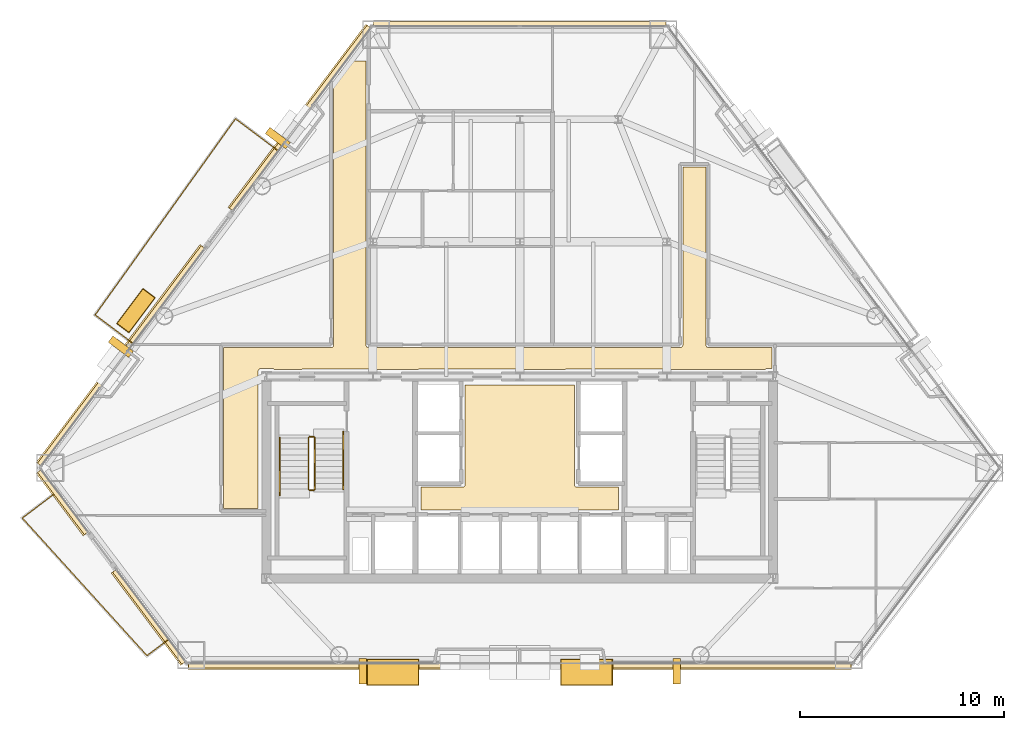
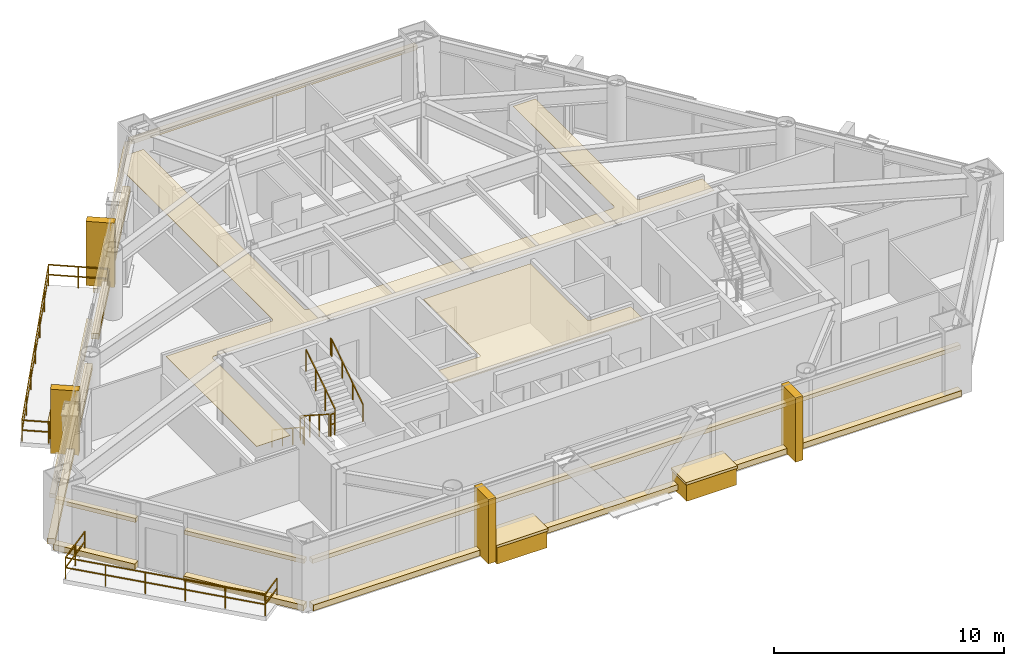
# One storey, part 9 of 10: 23 coverings, 8 railings.
"""IFC4 building model written with IfcOpenShell, lengths in metres."""

from ifc_helpers import new_model, si_unit, direction, frame, origin, origin_2d, place, context, subcontext, project, spatial, polyline, rectangle, outline, extrude, material, layer, layer_set, type_object, element, save


model = new_model("IFC4")

# Units and contexts
model_context = context("Model", 3, precision=1e-05, world=origin(), true_north=direction((0.0, 1.0)))
body_context = subcontext(model_context, "Body", "Model", "MODEL_VIEW")
ifc_project = project(units=[si_unit("LENGTHUNIT", "METRE"), si_unit("AREAUNIT", "SQUARE_METRE"), si_unit("VOLUMEUNIT", "CUBIC_METRE"), si_unit("PLANEANGLEUNIT", "RADIAN"), si_unit("MASSUNIT", "GRAM", prefix="KILO")], contexts=[model_context])

# Site, building, storey
site_placement = place(None, origin())
site = spatial("IfcSite", under=ifc_project, at=site_placement, CompositionType="ELEMENT")
building_placement = place(site_placement, origin())
building = spatial("IfcBuilding", under=site, at=building_placement, Name="Talgorran Terracotta Tower", CompositionType="ELEMENT")
storey_placement = place(building_placement, frame((0.0, 0.0, 75.60009765625)))
storey = spatial("IfcBuildingStorey", under=building, at=storey_placement, Name="L19", CompositionType="ELEMENT", Elevation=75.60009765625)

# Coverings
ifc_material_1 = material(Name="Kiln-Fired Terracotta Ochre Ceramic", Category="masonry")
ifc_layer_1 = layer(ifc_material_1, 0.179931640625, Name="COV_BAGUETTE_TERRACOTTA_SCREEN")
ifc_layer_set_1 = layer_set([ifc_layer_1], Name="Kiln-Fired Terracotta Ochre Ceramic")
covering_type_1 = type_object("IfcCoveringType", Name="COV_BAGUETTE_TERRACOTTA_SCREEN", PredefinedType="CLADDING", material=ifc_layer_set_1)
covering_1_placement = place(storey_placement, frame((-22.371826171875, -10.34619140625, 2.41015625), z_axis=(0.0, 0.0, 1.0), x_axis=(0.601257323772, -0.799055461536, 0.0)))
element("IfcCovering", 1, at=covering_1_placement, inside=storey, type_object=covering_type_1, Name="L19 Terracotta Baguette Solar Screen Assembly F10", PredefinedType="CLADDING", context=body_context, shape_type="SweptSolid", body=[
    extrude(rectangle(XDim=3.818115234375, YDim=0.260009765625, at=origin_2d()), origin(), (0.0, 0.0, 1.0), 0.219970703125),
])
covering_2_placement = place(storey_placement, frame((-18.14453125, -15.964111328125, 2.41015625), z_axis=(0.0, 0.0, 1.0), x_axis=(0.601243377531, -0.799065955334, 0.0)))
element("IfcCovering", 2, at=covering_2_placement, inside=storey, type_object=covering_type_1, Name="L19 Terracotta Baguette Solar Screen Assembly F11", PredefinedType="CLADDING", context=body_context, shape_type="SweptSolid", body=[
    extrude(rectangle(XDim=5.643310546875, YDim=0.260009765625, at=origin_2d()), origin(), (0.0, 0.0, 1.0), 0.219970703125),
])
covering_3_placement = place(storey_placement, frame((0.0, -18.3466796875, 2.41015625), z_axis=(0.0, 0.0, 1.0), x_axis=(1.0, 0.0, 0.0)))
element("IfcCovering", 3, at=covering_3_placement, inside=storey, type_object=covering_type_1, Name="L19 Terracotta Baguette Solar Screen Assembly F1", PredefinedType="CLADDING", context=body_context, shape_type="SweptSolid", body=[
    extrude(rectangle(XDim=32.464111328125, YDim=0.260009765625, at=origin_2d()), origin(), (0.0, 0.0, 1.0), 0.219970703125),
])
covering_4_placement = place(storey_placement, frame((0.0, 13.052734375, 2.41015625), z_axis=(0.0, 0.0, 1.0), x_axis=(-1.0, 0.0, 0.0)))
element("IfcCovering", 4, at=covering_4_placement, inside=storey, type_object=covering_type_1, Name="L19 Terracotta Baguette Solar Screen Assembly F4", PredefinedType="CLADDING", context=body_context, shape_type="SweptSolid", body=[
    extrude(rectangle(XDim=14.328125, YDim=0.260009765625, at=origin_2d()), origin(), (0.0, 0.0, 1.0), 0.219970703125),
])
covering_5_placement = place(storey_placement, frame((-10.75, 8.4462890625, 2.41015625), z_axis=(0.0, 0.0, 1.0), x_axis=(-0.601243377531, -0.799065955334, 0.0)))
element("IfcCovering", 5, at=covering_5_placement, inside=storey, type_object=covering_type_1, Name="L19 Terracotta Baguette Solar Screen Assembly F60", PredefinedType="CLADDING", context=body_context, shape_type="SweptSolid", body=[
    extrude(rectangle(XDim=11.2099609375, YDim=0.260009765625, at=origin_2d()), origin(), (0.0, 0.0, 1.0), 0.219970703125),
])
covering_6_placement = place(storey_placement, frame((-19.51123046875, -3.197509765625, 2.41015625), z_axis=(0.0, 0.0, 1.0), x_axis=(-0.601243377531, -0.799065955334, 0.0)))
element("IfcCovering", 6, at=covering_6_placement, inside=storey, type_object=covering_type_1, Name="L19 Terracotta Baguette Solar Screen Assembly F61", PredefinedType="CLADDING", context=body_context, shape_type="SweptSolid", body=[
    extrude(rectangle(XDim=13.33349609375, YDim=0.260009765625, at=origin_2d()), origin(), (0.0, 0.0, 1.0), 0.219970703125),
])
ifc_material_2 = material(Name="Mineral Fibre Acoustic Tile")
ifc_layer_2 = layer(ifc_material_2, 0.02490234375, Name="COV_CEIL_ACOUSTIC")
ifc_layer_set_2 = layer_set([ifc_layer_2], Name="Mineral Fibre Acoustic Tile")
covering_type_2 = type_object("IfcCoveringType", Name="COV_CEIL_ACOUSTIC", PredefinedType="CEILING", material=ifc_layer_set_2)
covering_7_placement = place(storey_placement, frame((0.0, 0.0, 3.260009765625)))
element("IfcCovering", 7, at=covering_7_placement, inside=storey, type_object=covering_type_2, Name="CEIL-L19-2", PredefinedType="CEILING", context=body_context, shape_type="SweptSolid", body=[
    extrude(outline(polyline([(-12.788818359375, -3.878662109375), (-12.79296875, -3.882568359375), (-12.80078125, -3.89111328125), (-12.806396484375, -3.89794921875), (-12.813720703125, -3.907470703125), (-12.819580078125, -3.91748046875), (-12.82470703125, -3.92822265625), (-12.82861328125, -3.939453125), (-12.83154296875, -3.95068359375), (-12.833251953125, -3.96240234375), (-12.833984375, -3.974365234375), (-12.8349609375, -10.6650390625), (-14.514892578125, -10.6650390625), (-14.514892578125, -2.784912109375), (-9.25, -2.784912109375), (-9.23828125, -2.784423828125), (-9.226806640625, -2.78271484375), (-9.21533203125, -2.77978515625), (-9.20703125, -2.77734375), (-9.196044921875, -2.7734375), (-9.185302734375, -2.768310546875), (-9.17529296875, -2.762451171875), (-9.165771484375, -2.75537109375), (-9.156982421875, -2.74755859375), (-9.149169921875, -2.73876953125), (-9.1435546875, -2.73193359375), (-9.136474609375, -2.722412109375), (-9.13037109375, -2.71240234375), (-9.125244140625, -2.70166015625), (-9.121337890625, -2.690673828125), (-9.118408203125, -2.67919921875), (-9.11669921875, -2.66748046875), (-9.1162109375, -2.65576171875), (-9.114990234375, 10.2783203125), (-8.372802734375, 11.264892578125), (-7.534912109375, 11.264892578125), (-7.534912109375, -2.64990234375), (-7.534423828125, -2.66162109375), (-7.53271484375, -2.67333984375), (-7.52978515625, -2.6845703125), (-7.52734375, -2.69287109375), (-7.5234375, -2.7041015625), (-7.518310546875, -2.714599609375), (-7.512451171875, -2.724853515625), (-7.50537109375, -2.734375), (-7.49755859375, -2.742919921875), (-7.48876953125, -2.7509765625), (-7.48193359375, -2.756591796875), (-7.472412109375, -2.763671875), (-7.46240234375, -2.769775390625), (-7.45166015625, -2.774658203125), (-7.440673828125, -2.77880859375), (-7.42919921875, -2.781494140625), (-7.41748046875, -2.783203125), (-7.40576171875, -2.783935546875), (7.85009765625, -2.784912109375), (7.86181640625, -2.784423828125), (7.873291015625, -2.78271484375), (7.884521484375, -2.77978515625), (7.892822265625, -2.77734375), (7.904052734375, -2.7734375), (7.914794921875, -2.768310546875), (7.9248046875, -2.762451171875), (7.934326171875, -2.75537109375), (7.943115234375, -2.74755859375), (7.950927734375, -2.73876953125), (7.95654296875, -2.73193359375), (7.963623046875, -2.722412109375), (7.9697265625, -2.71240234375), (7.974609375, -2.70166015625), (7.978759765625, -2.690673828125), (7.981689453125, -2.67919921875), (7.9833984375, -2.66748046875), (7.98388671875, -2.65576171875), (7.985107421875, 6.06494140625), (9.114990234375, 6.06494140625), (9.114990234375, -2.64990234375), (9.115478515625, -2.66162109375), (9.1171875, -2.67333984375), (9.1201171875, -2.6845703125), (9.12255859375, -2.69287109375), (9.12646484375, -2.7041015625), (9.131591796875, -2.714599609375), (9.1376953125, -2.724853515625), (9.14453125, -2.734375), (9.152587890625, -2.742919921875), (9.1611328125, -2.7509765625), (9.16796875, -2.756591796875), (9.177490234375, -2.763671875), (9.1875, -2.769775390625), (9.1982421875, -2.774658203125), (9.20947265625, -2.77880859375), (9.220703125, -2.781494140625), (9.232421875, -2.783203125), (9.244384765625, -2.783935546875), (12.364990234375, -2.784912109375), (12.364990234375, -3.80908203125), (12.1201171875, -3.80908203125), (12.108154296875, -3.8095703125), (12.0966796875, -3.811279296875), (12.085205078125, -3.814208984375), (12.07421875, -3.818115234375), (12.0634765625, -3.8232421875), (12.05322265625, -3.8291015625), (12.0439453125, -3.836181640625), (12.03515625, -3.843994140625), (12.034423828125, -3.844970703125), (7.432861328125, -3.844970703125), (6.968017578125, -3.843017578125), (6.967529296875, -3.843017578125), (0.232666015625, -3.844970703125), (-0.23193359375, -3.843017578125), (-0.232421875, -3.843017578125), (-6.96728515625, -3.844970703125), (-7.431884765625, -3.843017578125), (-7.4326171875, -3.843017578125), (-12.034423828125, -3.844970703125), (-12.03515625, -3.843994140625), (-12.0439453125, -3.836181640625), (-12.05322265625, -3.8291015625), (-12.0634765625, -3.8232421875), (-12.07421875, -3.818115234375), (-12.085205078125, -3.814208984375), (-12.0966796875, -3.811279296875), (-12.108154296875, -3.8095703125), (-12.1201171875, -3.80908203125), (-12.679931640625, -3.80908203125), (-12.69189453125, -3.8095703125), (-12.703369140625, -3.811279296875), (-12.71484375, -3.814208984375), (-12.725830078125, -3.818115234375), (-12.736572265625, -3.8232421875), (-12.74658203125, -3.8291015625), (-12.756103515625, -3.836181640625), (-12.764892578125, -3.843994140625), (-12.772705078125, -3.852783203125), (-12.77978515625, -3.8623046875), (-12.785888671875, -3.872314453125), (-12.788818359375, -3.878662109375)])), origin(), (0.0, 0.0, 1.0), 0.019775390625),
])
ifc_material_3 = material(Name="Flush Moisture-Resistant Plaster")
ifc_layer_3 = layer(ifc_material_3, 0.01806640625, Name="COV_CEIL_PLASTER")
ifc_layer_set_3 = layer_set([ifc_layer_3], Name="Flush Moisture-Resistant Plaster")
covering_type_3 = type_object("IfcCoveringType", Name="COV_CEIL_PLASTER", PredefinedType="CEILING", material=ifc_layer_set_3)
covering_8_placement = place(storey_placement, frame((0.0, 0.0, 3.260009765625)))
element("IfcCovering", 8, at=covering_8_placement, inside=storey, type_object=covering_type_3, Name="CEIL-L19-1", PredefinedType="CEILING", context=body_context, shape_type="SweptSolid", body=[
    extrude(outline(polyline([(-4.830078125, -9.6201171875), (-2.800048828125, -9.6201171875), (-2.7880859375, -9.619384765625), (-2.776611328125, -9.61767578125), (-2.76513671875, -9.61474609375), (-2.754150390625, -9.61083984375), (-2.743408203125, -9.605712890625), (-2.7333984375, -9.599853515625), (-2.723876953125, -9.5927734375), (-2.715087890625, -9.5849609375), (-2.707275390625, -9.576171875), (-2.7001953125, -9.566650390625), (-2.694091796875, -9.556640625), (-2.689208984375, -9.5458984375), (-2.685302734375, -9.534912109375), (-2.682373046875, -9.5234375), (-2.6806640625, -9.51171875), (-2.679931640625, -9.5), (-2.679931640625, -4.6201171875), (2.679931640625, -4.6201171875), (2.679931640625, -9.5), (2.6806640625, -9.51171875), (2.682373046875, -9.5234375), (2.685302734375, -9.534912109375), (2.689208984375, -9.5458984375), (2.694091796875, -9.556640625), (2.7001953125, -9.566650390625), (2.707275390625, -9.576171875), (2.715087890625, -9.5849609375), (2.723876953125, -9.5927734375), (2.7333984375, -9.599853515625), (2.743408203125, -9.605712890625), (2.754150390625, -9.61083984375), (2.76513671875, -9.61474609375), (2.776611328125, -9.61767578125), (2.7880859375, -9.619384765625), (2.800048828125, -9.6201171875), (4.830078125, -9.6201171875), (4.830078125, -10.72998046875), (-4.830078125, -10.72998046875), (-4.830078125, -9.6201171875)])), origin(), (0.0, 0.0, 1.0), 0.019775390625),
])
ifc_material_4 = material(Name="Honed Limestone and Terracotta Planter", Category="masonry")
ifc_layer_4 = layer(ifc_material_4, 0.1201171875, Name="COV_PLANTER_BOX")
ifc_layer_set_4 = layer_set([ifc_layer_4], Name="Honed Limestone and Terracotta Planter")
covering_type_4 = type_object("IfcCoveringType", Name="COV_PLANTER_BOX", PredefinedType="CLADDING", material=ifc_layer_set_4)
for number, where, z_axis, x_axis, name in (
    (9, (3.2724609375, -18.686767578125, -0.18017578125), (0.0, 0.0, 1.0), (1.0, 0.0, 0.0), "L19 Staggered South Facade Planter Box 1"),
    (10, (-6.217529296875, -18.686767578125, -0.18017578125), (0.0, 0.0, 1.0), (1.0, 0.0, 0.0), "L19 Staggered South Facade Planter Box 2"),
):
    element("IfcCovering", number, at=place(storey_placement, frame(where, z_axis=z_axis, x_axis=x_axis)), inside=storey, type_object=covering_type_4, Name=name, PredefinedType="CLADDING", context=body_context, shape_type="SweptSolid", body=[
        extrude(rectangle(XDim=2.5, YDim=1.25, at=origin_2d()), origin(), (0.0, 0.0, 1.0), 0.919921875),
    ])
covering_9_placement = place(storey_placement, frame((-18.80224609375, -0.974609375, -0.02001953125), z_axis=(0.0, 0.0, 1.0), x_axis=(-0.601243377531, -0.799065955334, 0.0)))
element("IfcCovering", 11, at=covering_9_placement, inside=storey, type_object=covering_type_4, Name="L19 Staggered Balcony Planter Box BAL-NW", PredefinedType="CLADDING", context=body_context, shape_type="SweptSolid", body=[
    extrude(rectangle(XDim=2.10009765625, YDim=0.719970703125, at=origin_2d()), origin(), (0.0, 0.0, 1.0), 0.860107421875),
])
ifc_material_5 = material(Name="Kiln-Fired Terracotta Planter Rim", Category="masonry")
ifc_layer_5 = layer(ifc_material_5, 0.10009765625, Name="COV_PLANTER_RIM")
ifc_layer_set_5 = layer_set([ifc_layer_5], Name="Kiln-Fired Terracotta Planter Rim")
covering_type_5 = type_object("IfcCoveringType", Name="COV_PLANTER_RIM", PredefinedType="CLADDING", material=ifc_layer_set_5)
for number, where, z_axis, x_axis, name in (
    (12, (3.2724609375, -18.686767578125, 0.7099609375), (0.0, 0.0, 1.0), (1.0, 0.0, 0.0), "L19 South Planter Terracotta Rim 1"),
    (13, (-6.217529296875, -18.686767578125, 0.7099609375), (0.0, 0.0, 1.0), (1.0, 0.0, 0.0), "L19 South Planter Terracotta Rim 2"),
):
    element("IfcCovering", number, at=place(storey_placement, frame(where, z_axis=z_axis, x_axis=x_axis)), inside=storey, type_object=covering_type_5, Name=name, PredefinedType="CLADDING", context=body_context, shape_type="SweptSolid", body=[
        extrude(rectangle(XDim=2.580078125, YDim=1.320068359375, at=origin_2d()), origin(), (0.0, 0.0, 1.0), 0.139892578125),
    ])
covering_10_placement = place(storey_placement, frame((-18.80224609375, -0.974609375, 0.7998046875), z_axis=(0.0, 0.0, 1.0), x_axis=(-0.601243377531, -0.799065955334, 0.0)))
element("IfcCovering", 14, at=covering_10_placement, inside=storey, type_object=covering_type_5, Name="L19 Balcony Planter Terracotta Rim BAL-NW", PredefinedType="CLADDING", context=body_context, shape_type="SweptSolid", body=[
    extrude(rectangle(XDim=2.179931640625, YDim=0.780029296875, at=origin_2d()), origin(), (0.0, 0.0, 1.0), 0.1201171875),
])
ifc_material_6 = material(Name="Honed Limestone Cladding", Category="masonry")
ifc_layer_6 = layer(ifc_material_6, 0.094970703125, Name="COV_PORTAL_LIME")
ifc_layer_set_6 = layer_set([ifc_layer_6], Name="Honed Limestone Cladding")
covering_type_6 = type_object("IfcCoveringType", Name="COV_PORTAL_LIME", PredefinedType="CLADDING", material=ifc_layer_set_6)
for number, where, z_axis, x_axis, name in (
    (15, (-7.690185546875, -18.646728515625, -0.050048828125), (0.0, 0.0, 1.0), (1.0, 0.0, 0.0), "L19 White Striped Portal Fin F1-1"),
    (16, (-11.853759765625, 7.478515625, -0.050048828125), (0.0, 0.0, 1.0), (-0.601243377531, -0.799065955334, 0.0), "L19 White Striped Portal Fin F5-1"),
):
    element("IfcCovering", number, at=place(storey_placement, frame(where, z_axis=z_axis, x_axis=x_axis)), inside=storey, type_object=covering_type_6, Name=name, PredefinedType="CLADDING", context=body_context, shape_type="SweptSolid", body=[
        extrude(rectangle(XDim=0.3798828125, YDim=1.25, at=origin_2d()), origin(), (0.0, 0.0, 1.0), 3.39990234375),
    ])
ifc_material_7 = material(Name="Kiln-Fired Terracotta Cladding", Category="masonry")
ifc_layer_7 = layer(ifc_material_7, 0.090087890625, Name="COV_PORTAL_TERRA")
ifc_layer_set_7 = layer_set([ifc_layer_7], Name="Kiln-Fired Terracotta Cladding")
covering_type_7 = type_object("IfcCoveringType", Name="COV_PORTAL_TERRA", PredefinedType="CLADDING", material=ifc_layer_set_7)
covering_11_placement = place(storey_placement, frame((-22.40380859375, -10.370361328125, -0.0400390625), z_axis=(0.0, 0.0, 1.0), x_axis=(0.601257323772, -0.799055461536, 0.0)))
element("IfcCovering", 17, at=covering_11_placement, inside=storey, type_object=covering_type_7, Name="L19 Striped Postmodern Portal Cladding Band F10", PredefinedType="CLADDING", context=body_context, shape_type="SweptSolid", body=[
    extrude(rectangle(XDim=3.837890625, YDim=0.340087890625, at=origin_2d()), origin(), (0.0, 0.0, 1.0), 0.300048828125),
])
covering_12_placement = place(storey_placement, frame((-18.176513671875, -15.98828125, -0.0400390625), z_axis=(0.0, 0.0, 1.0), x_axis=(0.601243377531, -0.799065955334, 0.0)))
element("IfcCovering", 18, at=covering_12_placement, inside=storey, type_object=covering_type_7, Name="L19 Striped Postmodern Portal Cladding Band F11", PredefinedType="CLADDING", context=body_context, shape_type="SweptSolid", body=[
    extrude(rectangle(XDim=5.663330078125, YDim=0.340087890625, at=origin_2d()), origin(), (0.0, 0.0, 1.0), 0.300048828125),
])
covering_13_placement = place(storey_placement, frame((0.0, -18.38671875, -0.0400390625), z_axis=(0.0, 0.0, 1.0), x_axis=(1.0, 0.0, 0.0)))
element("IfcCovering", 19, at=covering_13_placement, inside=storey, type_object=covering_type_7, Name="L19 Striped Postmodern Portal Cladding Band F1", PredefinedType="CLADDING", context=body_context, shape_type="SweptSolid", body=[
    extrude(rectangle(XDim=32.484130859375, YDim=0.340087890625, at=origin_2d()), origin(), (0.0, 0.0, 1.0), 0.300048828125),
])
covering_14_placement = place(storey_placement, frame((-10.781982421875, 8.47021484375, -0.0400390625), z_axis=(0.0, 0.0, 1.0), x_axis=(-0.601243377531, -0.799065955334, 0.0)))
element("IfcCovering", 20, at=covering_14_placement, inside=storey, type_object=covering_type_7, Name="L19 Striped Postmodern Portal Cladding Band F60", PredefinedType="CLADDING", context=body_context, shape_type="SweptSolid", body=[
    extrude(rectangle(XDim=11.22998046875, YDim=0.340087890625, at=origin_2d()), origin(), (0.0, 0.0, 1.0), 0.300048828125),
])
covering_15_placement = place(storey_placement, frame((-19.543212890625, -3.173583984375, -0.0400390625), z_axis=(0.0, 0.0, 1.0), x_axis=(-0.601243377531, -0.799065955334, 0.0)))
element("IfcCovering", 21, at=covering_15_placement, inside=storey, type_object=covering_type_7, Name="L19 Striped Postmodern Portal Cladding Band F61", PredefinedType="CLADDING", context=body_context, shape_type="SweptSolid", body=[
    extrude(rectangle(XDim=13.353515625, YDim=0.340087890625, at=origin_2d()), origin(), (0.0, 0.0, 1.0), 0.300048828125),
])
for number, where, z_axis, x_axis, name in (
    (22, (7.690185546875, -18.646728515625, -0.050048828125), (0.0, 0.0, 1.0), (1.0, 0.0, 0.0), "L19 Terracotta Striped Portal Fin F1-2"),
    (23, (-19.543701171875, -2.741943359375, -0.050048828125), (0.0, 0.0, 1.0), (-0.601243377531, -0.799065955334, 0.0), "L19 Terracotta Striped Portal Fin F5-2"),
):
    element("IfcCovering", number, at=place(storey_placement, frame(where, z_axis=z_axis, x_axis=x_axis)), inside=storey, type_object=covering_type_7, Name=name, PredefinedType="CLADDING", context=body_context, shape_type="SweptSolid", body=[
        extrude(rectangle(XDim=0.3798828125, YDim=1.25, at=origin_2d()), origin(), (0.0, 0.0, 1.0), 3.39990234375),
    ])

# Railings
ifc_material_8 = material(Name="Laminated Glass and Stainless Steel 316", Category="steel")
railing_type_1 = type_object("IfcRailingType", Name="RL_BALCONY_1150", PredefinedType="BALUSTRADE", material=ifc_material_8)
railing_1_placement = place(storey_placement, frame((-11.843505859375, 6.860107421875, 0.0)))
element("IfcRailing", 24, at=railing_1_placement, inside=storey, type_object=railing_type_1, Name="RL-L19-BAL-BAL-NW", PredefinedType="BALUSTRADE", context=body_context, shape_type="SweptSolid", body=[
    extrude(rectangle(XDim=0.048095703125, YDim=0.048095703125, at=origin_2d()), frame((0.0, 0.0, 1.1259765625), z_axis=(-0.799110701587, 0.60118390415, 0.0), x_axis=(-0.60118390415, -0.799110701587, 0.0)), (0.0, 0.0, 1.0), 2.605224609375),
    extrude(rectangle(XDim=0.048095703125, YDim=0.048095703125, at=origin_2d()), frame((0.0, 0.0, 0.597900390625), z_axis=(-0.799110701587, 0.60118390415, 0.0), x_axis=(-0.60118390415, -0.799110701587, 0.0)), (0.0, 0.0, 1.0), 2.605224609375),
    extrude(rectangle(XDim=0.048095703125, YDim=0.048095703125, at=origin_2d()), frame((-2.081787109375, 1.566162109375, 1.1259765625), z_axis=(-0.581933700204, -0.813236231711, 0.0), x_axis=(0.813236231711, -0.581933700204, 0.0)), (0.0, 0.0, 1.0), 11.8173828125),
    extrude(rectangle(XDim=0.048095703125, YDim=0.048095703125, at=origin_2d()), frame((-2.081787109375, 1.566162109375, 0.597900390625), z_axis=(-0.581933700204, -0.813236231711, 0.0), x_axis=(0.813236231711, -0.581933700204, 0.0)), (0.0, 0.0, 1.0), 11.8173828125),
    extrude(rectangle(XDim=0.048095703125, YDim=0.048095703125, at=origin_2d()), frame((-8.958740234375, -8.044189453125, 1.1259765625), z_axis=(0.799128642918, -0.601160055283, 0.0), x_axis=(0.601160055283, 0.799128642918, 0.0)), (0.0, 0.0, 1.0), 2.322265625),
    extrude(rectangle(XDim=0.048095703125, YDim=0.048095703125, at=origin_2d()), frame((-8.958740234375, -8.044189453125, 0.597900390625), z_axis=(0.799128642918, -0.601160055283, 0.0), x_axis=(0.601160055283, 0.799128642918, 0.0)), (0.0, 0.0, 1.0), 2.322265625),
    extrude(rectangle(XDim=0.0419921875, YDim=0.0419921875, at=origin_2d()), origin(), (0.0, 0.0, 1.0), 1.101806640625),
    extrude(rectangle(XDim=0.0419921875, YDim=0.0419921875, at=origin_2d()), frame((-1.041015625, 0.783203125, 0.0)), (0.0, 0.0, 1.0), 1.101806640625),
    extrude(rectangle(XDim=0.0419921875, YDim=0.0419921875, at=origin_2d()), frame((-2.081787109375, 1.566162109375, 0.0)), (0.0, 0.0, 1.0), 1.101806640625),
    extrude(rectangle(XDim=0.0419921875, YDim=0.0419921875, at=origin_2d()), frame((-3.22802734375, -0.03564453125, 0.0)), (0.0, 0.0, 1.0), 1.101806640625),
    extrude(rectangle(XDim=0.0419921875, YDim=0.0419921875, at=origin_2d()), frame((-4.3740234375, -1.63720703125, 0.0)), (0.0, 0.0, 1.0), 1.101806640625),
    extrude(rectangle(XDim=0.0419921875, YDim=0.0419921875, at=origin_2d()), frame((-5.520263671875, -3.239013671875, 0.0)), (0.0, 0.0, 1.0), 1.101806640625),
    extrude(rectangle(XDim=0.0419921875, YDim=0.0419921875, at=origin_2d()), frame((-6.66650390625, -4.8408203125, 0.0)), (0.0, 0.0, 1.0), 1.101806640625),
    extrude(rectangle(XDim=0.0419921875, YDim=0.0419921875, at=origin_2d()), frame((-7.8125, -6.4423828125, 0.0)), (0.0, 0.0, 1.0), 1.101806640625),
    extrude(rectangle(XDim=0.0419921875, YDim=0.0419921875, at=origin_2d()), frame((-8.958740234375, -8.044189453125, 0.0)), (0.0, 0.0, 1.0), 1.101806640625),
    extrude(rectangle(XDim=0.0419921875, YDim=0.0419921875, at=origin_2d()), frame((-8.03076171875, -8.7421875, 0.0)), (0.0, 0.0, 1.0), 1.101806640625),
    extrude(rectangle(XDim=0.0419921875, YDim=0.0419921875, at=origin_2d()), frame((-7.10302734375, -9.440185546875, 0.0)), (0.0, 0.0, 1.0), 1.101806640625),
])
railing_2_placement = place(storey_placement, frame((-22.652587890625, -9.83984375, 0.0)))
element("IfcRailing", 25, at=railing_2_placement, inside=storey, type_object=railing_type_1, Name="RL-L19-BAL-BAL-SW", PredefinedType="BALUSTRADE", context=body_context, shape_type="SweptSolid", body=[
    extrude(rectangle(XDim=0.048095703125, YDim=0.048095703125, at=origin_2d()), frame((0.0, 0.0, 1.1259765625), z_axis=(-0.799071794127, -0.601235617566, 0.0), x_axis=(0.601235617566, -0.799071794127, 0.0)), (0.0, 0.0, 1.0), 2.1484375),
    extrude(rectangle(XDim=0.048095703125, YDim=0.048095703125, at=origin_2d()), frame((0.0, 0.0, 0.597900390625), z_axis=(-0.799071794127, -0.601235617566, 0.0), x_axis=(0.601235617566, -0.799071794127, 0.0)), (0.0, 0.0, 1.0), 2.1484375),
    extrude(rectangle(XDim=0.048095703125, YDim=0.048095703125, at=origin_2d()), frame((-1.716796875, -1.291748046875, 1.1259765625), z_axis=(0.671345356344, -0.741144663689, 0.0), x_axis=(0.741144663689, 0.671345356344, 0.0)), (0.0, 0.0, 1.0), 9.09765625),
    extrude(rectangle(XDim=0.048095703125, YDim=0.048095703125, at=origin_2d()), frame((-1.716796875, -1.291748046875, 0.597900390625), z_axis=(0.671345356344, -0.741144663689, 0.0), x_axis=(0.741144663689, 0.671345356344, 0.0)), (0.0, 0.0, 1.0), 9.09765625),
    extrude(rectangle(XDim=0.048095703125, YDim=0.048095703125, at=origin_2d()), frame((4.390869140625, -8.034423828125, 1.1259765625), z_axis=(0.798979343053, 0.601358469945, 0.0), x_axis=(-0.601358469945, 0.798979343053, 0.0)), (0.0, 0.0, 1.0), 1.32177734375),
    extrude(rectangle(XDim=0.048095703125, YDim=0.048095703125, at=origin_2d()), frame((4.390869140625, -8.034423828125, 0.597900390625), z_axis=(0.798979343053, 0.601358469945, 0.0), x_axis=(-0.601358469945, 0.798979343053, 0.0)), (0.0, 0.0, 1.0), 1.32177734375),
    extrude(rectangle(XDim=0.0419921875, YDim=0.0419921875, at=origin_2d()), origin(), (0.0, 0.0, 1.0), 1.101806640625),
    extrude(rectangle(XDim=0.0419921875, YDim=0.0419921875, at=origin_2d()), frame((-0.8583984375, -0.64599609375, 0.0)), (0.0, 0.0, 1.0), 1.101806640625),
    extrude(rectangle(XDim=0.0419921875, YDim=0.0419921875, at=origin_2d()), frame((-1.716796875, -1.291748046875, 0.0)), (0.0, 0.0, 1.0), 1.101806640625),
    extrude(rectangle(XDim=0.0419921875, YDim=0.0419921875, at=origin_2d()), frame((-0.495361328125, -2.640380859375, 0.0)), (0.0, 0.0, 1.0), 1.101806640625),
    extrude(rectangle(XDim=0.0419921875, YDim=0.0419921875, at=origin_2d()), frame((0.726318359375, -3.98876953125, 0.0)), (0.0, 0.0, 1.0), 1.101806640625),
    extrude(rectangle(XDim=0.0419921875, YDim=0.0419921875, at=origin_2d()), frame((1.94775390625, -5.33740234375, 0.0)), (0.0, 0.0, 1.0), 1.101806640625),
    extrude(rectangle(XDim=0.0419921875, YDim=0.0419921875, at=origin_2d()), frame((3.16943359375, -6.685791015625, 0.0)), (0.0, 0.0, 1.0), 1.101806640625),
    extrude(rectangle(XDim=0.0419921875, YDim=0.0419921875, at=origin_2d()), frame((4.390869140625, -8.034423828125, 0.0)), (0.0, 0.0, 1.0), 1.101806640625),
    extrude(rectangle(XDim=0.0419921875, YDim=0.0419921875, at=origin_2d()), frame((5.447021484375, -7.239501953125, 0.0)), (0.0, 0.0, 1.0), 1.101806640625),
])
ifc_material_9 = material(Name="Steel S355 (300PLUS)", Category="steel")
railing_type_2 = type_object("IfcRailingType", Name="RL_HANDRAIL_920", PredefinedType="HANDRAIL", material=ifc_material_9)
railing_3_placement = place(storey_placement, frame((-11.75, -7.199951171875, 0.179931640625)))
element("IfcRailing", 26, at=railing_3_placement, inside=storey, type_object=railing_type_2, Name="L19 ST-01 stair handrail 1", PredefinedType="HANDRAIL", context=body_context, shape_type="SweptSolid", body=[
    extrude(rectangle(XDim=0.048095703125, YDim=0.048095703125, at=origin_2d()), frame((0.0, 0.0, 0.89599609375), z_axis=(0.0, -0.832038719335, 0.554717558338), x_axis=(1.0, 0.0, 0.0)), (0.0, 0.0, 1.0), 3.244873046875),
    extrude(rectangle(XDim=0.048095703125, YDim=0.048095703125, at=origin_2d()), frame((0.0, -2.699951171875, 2.69580078125), z_axis=(0.0, -1.0, 0.0), x_axis=(1.0, 0.0, 0.0)), (0.0, 0.0, 1.0), 0.1201171875),
    extrude(rectangle(XDim=0.0419921875, YDim=0.0419921875, at=origin_2d()), origin(), (0.0, 0.0, 1.0), 0.871826171875),
    extrude(rectangle(XDim=0.0419921875, YDim=0.0419921875, at=origin_2d()), frame((0.0, -0.89990234375, 0.60009765625)), (0.0, 0.0, 1.0), 0.871826171875),
    extrude(rectangle(XDim=0.0419921875, YDim=0.0419921875, at=origin_2d()), frame((0.0, -1.800048828125, 1.199951171875)), (0.0, 0.0, 1.0), 0.871826171875),
    extrude(rectangle(XDim=0.0419921875, YDim=0.0419921875, at=origin_2d()), frame((0.0, -2.699951171875, 1.800048828125)), (0.0, 0.0, 1.0), 0.871826171875),
    extrude(rectangle(XDim=0.0419921875, YDim=0.0419921875, at=origin_2d()), frame((0.0, -2.820068359375, 1.800048828125)), (0.0, 0.0, 1.0), 0.871826171875),
])
railing_4_placement = place(storey_placement, frame((-8.64990234375, -9.719970703125, 1.97998046875)))
element("IfcRailing", 27, at=railing_4_placement, inside=storey, type_object=railing_type_2, Name="L19 ST-01 stair handrail 2", PredefinedType="HANDRAIL", context=body_context, shape_type="SweptSolid", body=[
    extrude(rectangle(XDim=0.048095703125, YDim=0.048095703125, at=origin_2d()), frame((0.0, 0.0, 0.89599609375), z_axis=(0.0, 0.832073444223, 0.554665469827), x_axis=(-1.0, 0.0, 0.0)), (0.0, 0.0, 1.0), 3.244873046875),
    extrude(rectangle(XDim=0.048095703125, YDim=0.048095703125, at=origin_2d()), frame((0.0, 2.699951171875, 2.69580078125), z_axis=(0.0, 1.0, 0.0), x_axis=(-1.0, 0.0, 0.0)), (0.0, 0.0, 1.0), 0.1201171875),
    extrude(rectangle(XDim=0.0419921875, YDim=0.0419921875, at=origin_2d()), origin(), (0.0, 0.0, 1.0), 0.871826171875),
    extrude(rectangle(XDim=0.0419921875, YDim=0.0419921875, at=origin_2d()), frame((0.0, 0.89990234375, 0.599853515625)), (0.0, 0.0, 1.0), 0.871826171875),
    extrude(rectangle(XDim=0.0419921875, YDim=0.0419921875, at=origin_2d()), frame((0.0, 1.800048828125, 1.199951171875)), (0.0, 0.0, 1.0), 0.871826171875),
    extrude(rectangle(XDim=0.0419921875, YDim=0.0419921875, at=origin_2d()), frame((0.0, 2.699951171875, 1.7998046875)), (0.0, 0.0, 1.0), 0.871826171875),
    extrude(rectangle(XDim=0.0419921875, YDim=0.0419921875, at=origin_2d()), frame((0.0, 2.820068359375, 1.7998046875)), (0.0, 0.0, 1.0), 0.871826171875),
])
railing_type_3 = type_object("IfcRailingType", Name="RL_STAIR_GUARD", PredefinedType="GUARDRAIL", material=ifc_material_9)
railing_5_placement = place(storey_placement, frame((-10.35009765625, -7.199951171875, 0.179931640625)))
element("IfcRailing", 28, at=railing_5_placement, inside=storey, type_object=railing_type_3, Name="L19 ST-01 stair guard 1", PredefinedType="GUARDRAIL", context=body_context, shape_type="SweptSolid", body=[
    extrude(rectangle(XDim=0.048095703125, YDim=0.048095703125, at=origin_2d()), frame((0.0, 0.0, 1.15576171875), z_axis=(0.0, -0.841199657755, 0.540724639528), x_axis=(1.0, 0.0, 0.0)), (0.0, 0.0, 1.0), 2.995849609375),
    extrude(rectangle(XDim=0.0419921875, YDim=0.0419921875, at=origin_2d()), origin(), (0.0, 0.0, 1.0), 1.1318359375),
    extrude(rectangle(XDim=0.0419921875, YDim=0.0419921875, at=origin_2d()), frame((0.0, -0.840087890625, 0.5400390625)), (0.0, 0.0, 1.0), 1.1318359375),
    extrude(rectangle(XDim=0.0419921875, YDim=0.0419921875, at=origin_2d()), frame((0.0, -1.679931640625, 1.079833984375)), (0.0, 0.0, 1.0), 1.1318359375),
    extrude(rectangle(XDim=0.0419921875, YDim=0.0419921875, at=origin_2d()), frame((0.0, -2.52001953125, 1.619873046875)), (0.0, 0.0, 1.0), 1.1318359375),
])
railing_6_placement = place(storey_placement, frame((-10.300048828125, -9.77001953125, 1.7998046875)))
element("IfcRailing", 29, at=railing_6_placement, inside=storey, type_object=railing_type_3, Name="L19 ST-01 stair guard 2", PredefinedType="GUARDRAIL", context=body_context, shape_type="SweptSolid", body=[
    extrude(rectangle(XDim=0.048095703125, YDim=0.048095703125, at=origin_2d()), frame((0.0, 0.0, 1.15576171875), z_axis=(1.0, 0.0, 0.0), x_axis=(0.0, 1.0, 0.0)), (0.0, 0.0, 1.0), 0.199951171875),
    extrude(rectangle(XDim=0.048095703125, YDim=0.048095703125, at=origin_2d()), frame((0.0, 0.0, 0.613525390625), z_axis=(1.0, 0.0, 0.0), x_axis=(0.0, 1.0, 0.0)), (0.0, 0.0, 1.0), 0.199951171875),
    extrude(rectangle(XDim=0.0419921875, YDim=0.0419921875, at=origin_2d()), origin(), (0.0, 0.0, 1.0), 1.1318359375),
    extrude(rectangle(XDim=0.0419921875, YDim=0.0419921875, at=origin_2d()), frame((0.199951171875, 0.0, 0.0)), (0.0, 0.0, 1.0), 1.1318359375),
])
railing_7_placement = place(storey_placement, frame((-10.050048828125, -9.719970703125, 1.97998046875)))
element("IfcRailing", 30, at=railing_7_placement, inside=storey, type_object=railing_type_3, Name="L19 ST-01 stair guard 3", PredefinedType="GUARDRAIL", context=body_context, shape_type="SweptSolid", body=[
    extrude(rectangle(XDim=0.048095703125, YDim=0.048095703125, at=origin_2d()), frame((0.0, 0.0, 1.15576171875), z_axis=(0.0, 0.841199657755, 0.540724639528), x_axis=(-1.0, 0.0, 0.0)), (0.0, 0.0, 1.0), 2.995849609375),
    extrude(rectangle(XDim=0.0419921875, YDim=0.0419921875, at=origin_2d()), origin(), (0.0, 0.0, 1.0), 1.1318359375),
    extrude(rectangle(XDim=0.0419921875, YDim=0.0419921875, at=origin_2d()), frame((0.0, 0.840087890625, 0.5400390625)), (0.0, 0.0, 1.0), 1.1318359375),
    extrude(rectangle(XDim=0.0419921875, YDim=0.0419921875, at=origin_2d()), frame((0.0, 1.679931640625, 1.079833984375)), (0.0, 0.0, 1.0), 1.1318359375),
    extrude(rectangle(XDim=0.0419921875, YDim=0.0419921875, at=origin_2d()), frame((0.0, 2.52001953125, 1.619873046875)), (0.0, 0.0, 1.0), 1.1318359375),
])
railing_8_placement = place(storey_placement, frame((-10.300048828125, -7.14990234375, 0.0)))
element("IfcRailing", 31, at=railing_8_placement, inside=storey, type_object=railing_type_3, Name="L19 ST-01 stair guard 4", PredefinedType="GUARDRAIL", context=body_context, shape_type="SweptSolid", body=[
    extrude(rectangle(XDim=0.048095703125, YDim=0.048095703125, at=origin_2d()), frame((0.0, 0.0, 1.15576171875), z_axis=(1.0, 0.0, 0.0), x_axis=(0.0, 1.0, 0.0)), (0.0, 0.0, 1.0), 0.199951171875),
    extrude(rectangle(XDim=0.048095703125, YDim=0.048095703125, at=origin_2d()), frame((0.0, 0.0, 0.613525390625), z_axis=(1.0, 0.0, 0.0), x_axis=(0.0, 1.0, 0.0)), (0.0, 0.0, 1.0), 0.199951171875),
    extrude(rectangle(XDim=0.0419921875, YDim=0.0419921875, at=origin_2d()), origin(), (0.0, 0.0, 1.0), 1.1318359375),
    extrude(rectangle(XDim=0.0419921875, YDim=0.0419921875, at=origin_2d()), frame((0.199951171875, 0.0, 0.0)), (0.0, 0.0, 1.0), 1.1318359375),
])

save(model, "model.ifc")
